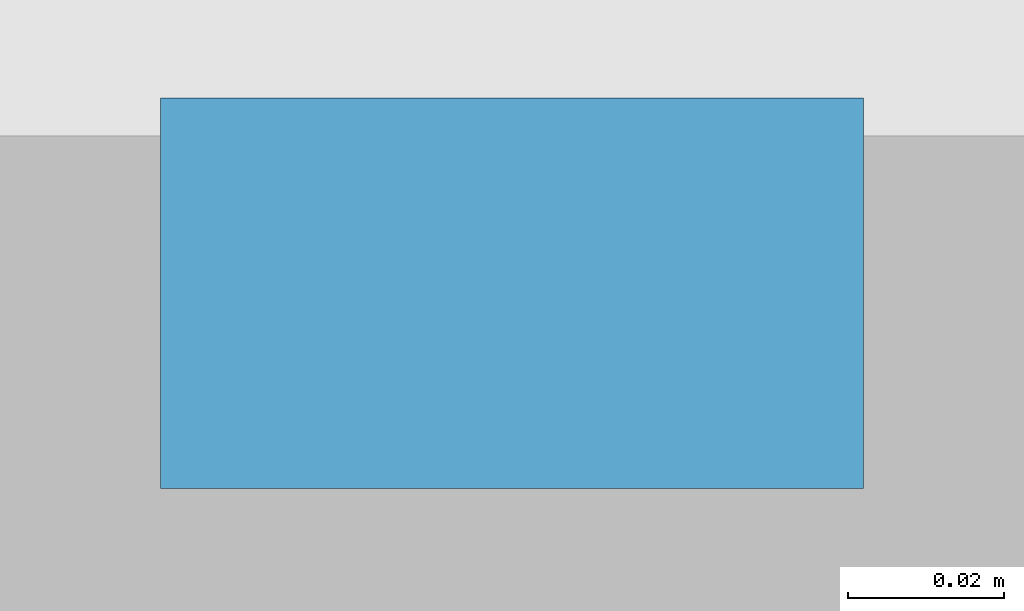
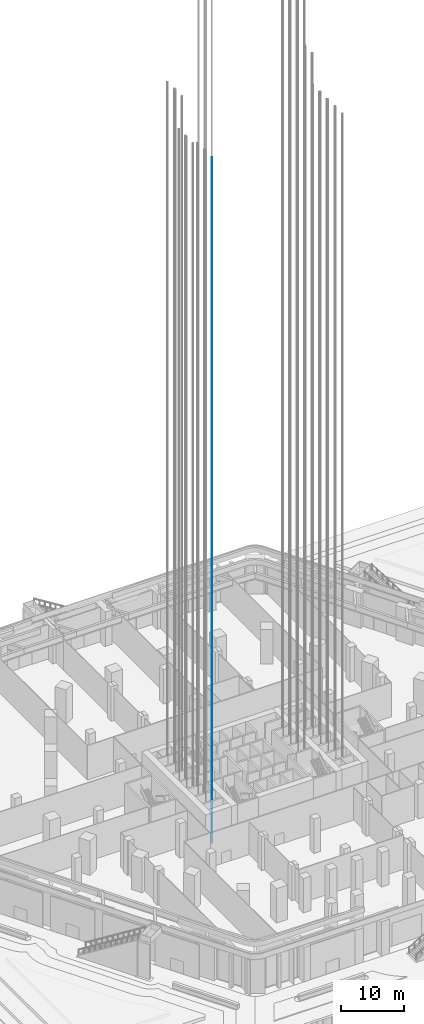
# One storey, part 27 of 68: 1 discrete accessory.
"""IFC4 building model written with IfcOpenShell, lengths in metres."""

from ifc_helpers import new_model, si_unit, direction, frame, origin, origin_2d, place, context, subcontext, project, spatial, rectangle, extrude, element, save


model = new_model("IFC4")

# Units and contexts
model_context = context("Model", 3, precision=1e-05, world=origin(), true_north=direction((0.0, 1.0)))
body_context = subcontext(model_context, "Body", "Model", "MODEL_VIEW")
ifc_project = project(units=[si_unit("LENGTHUNIT", "METRE"), si_unit("AREAUNIT", "SQUARE_METRE"), si_unit("VOLUMEUNIT", "CUBIC_METRE"), si_unit("PLANEANGLEUNIT", "RADIAN"), si_unit("MASSUNIT", "GRAM", prefix="KILO")], contexts=[model_context])

# Site, building, storey
site_placement = place(None, origin())
site = spatial("IfcSite", under=ifc_project, at=site_placement, CompositionType="ELEMENT")
building_placement = place(site_placement, origin())
building = spatial("IfcBuilding", under=site, at=building_placement, Name="Kolab Exchange Tower", CompositionType="ELEMENT")
storey_placement = place(building_placement, origin())
storey = spatial("IfcBuildingStorey", under=building, at=storey_placement, Name="L00", CompositionType="ELEMENT", Elevation=0.0)

# Discrete accessory
discrete_accessory_placement = place(storey_placement, frame((-12.0, -7.070068359375, -1.599853515625), z_axis=(0.0, 0.0, 1.0), x_axis=(1.0, 0.0, 0.0)))
element("IfcDiscreteAccessory", 1, at=discrete_accessory_placement, inside=storey, Name="Guide rail LR5-1", ObjectType="GUIDE RAIL", PredefinedType="USERDEFINED", context=body_context, shape_type="SweptSolid", body=[
    extrude(rectangle(XDim=0.090087890625, YDim=0.050048828125, at=origin_2d()), origin(), (0.0, 0.0, 1.0), 133.39990234375),
])

save(model, "model.ifc")
